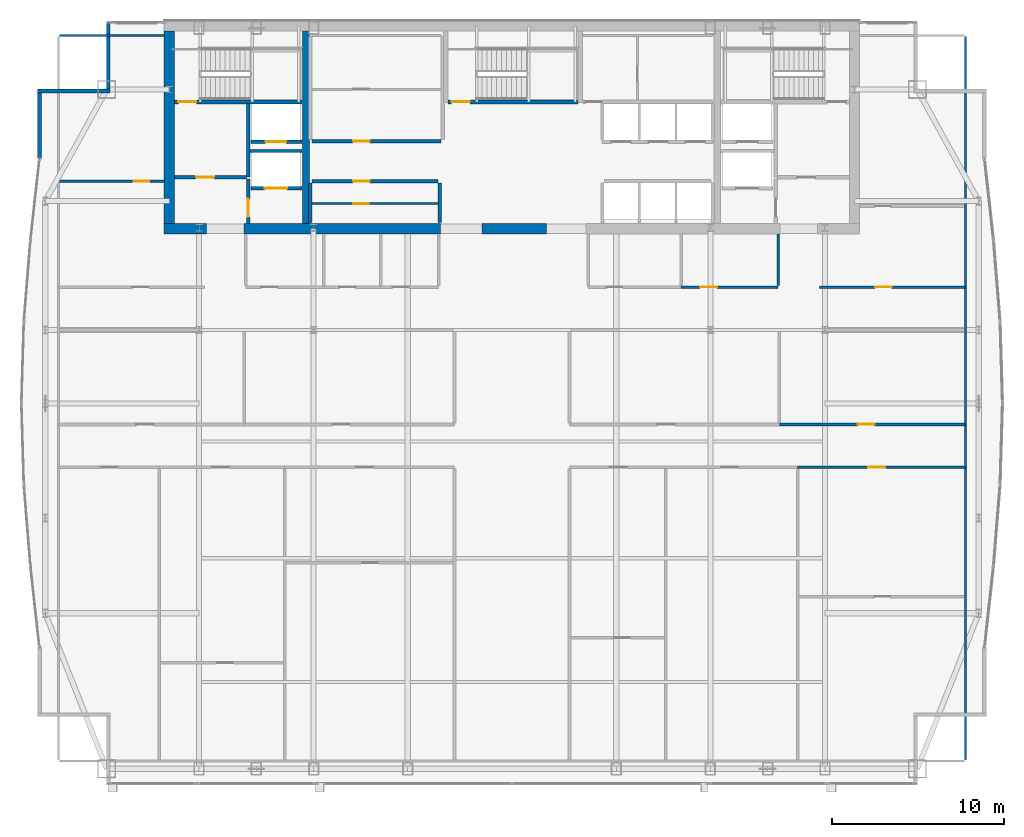
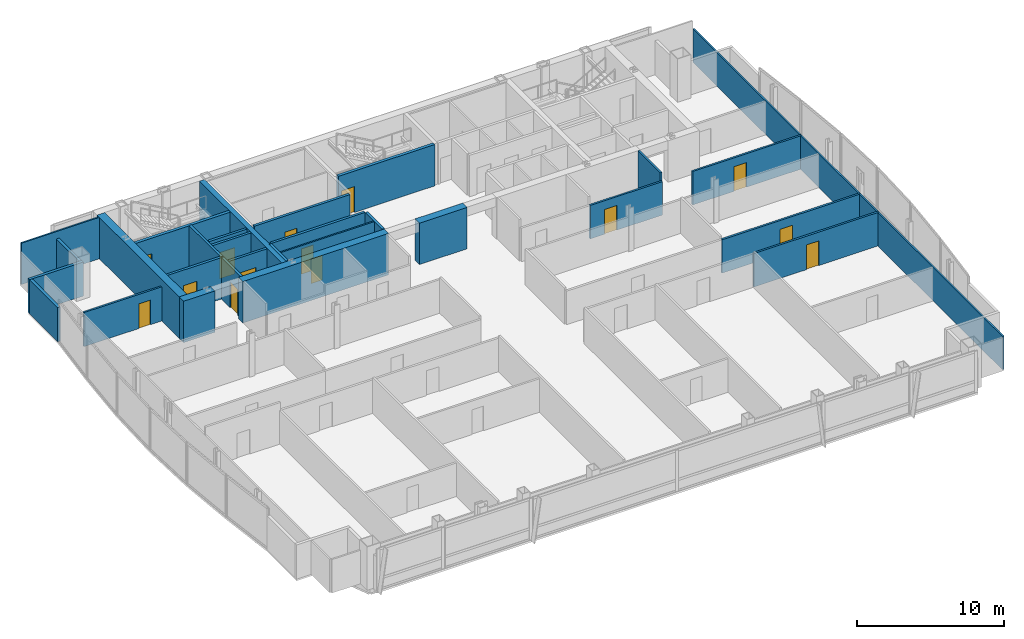
# One storey, part 25 of 29: 29 walls, 14 doors, 14 openings.
"""IFC4 building model written with IfcOpenShell, lengths in metres."""

import ifcopenshell
import ifcopenshell.guid

model = None  # the IFC model being written
_history = None  # IfcOwnerHistory: only IFC2X3 demands one
_inside = {}  # id of a spatial element -> (the spatial element, [elements in it])
_under = {}  # id of a project, library or spatial element -> (it, [spatial elements below it])
_declared = {}  # id of a project -> (the project, [libraries it declares])
_typed = {}  # id of a type object -> (the type object, [elements of that type])
_made_of = {}  # id of a material, layer set ... -> (it, [elements and type objects made of it])


def new_model(schema):
    """Start an empty IFC model of exactly this schema.

    Asked for "IFC4X3", IfcOpenShell would pick the latest addendum, in which some entities
    have other attributes; the version numbers below select the first issue.
    IFC2X3 requires an IfcOwnerHistory on every rooted entity: one is made here for all.
    """
    global model, _history
    if schema == "IFC4X3":
        model = ifcopenshell.file(schema_version=(4, 3, 0, 0))
    else:
        model = ifcopenshell.file(schema=schema)
    _inside.clear()
    _under.clear()
    _declared.clear()
    _typed.clear()
    _made_of.clear()
    _history = None
    if model.schema == "IFC2X3":
        org = make("IfcOrganization", Name="unknown")
        user = make(
            "IfcPersonAndOrganization",
            ThePerson=make("IfcPerson", FamilyName="unknown"),
            TheOrganization=org,
        )
        app = make(
            "IfcApplication",
            ApplicationDeveloper=org,
            Version="unknown",
            ApplicationFullName="unknown",
            ApplicationIdentifier="unknown",
        )
        _history = make(
            "IfcOwnerHistory",
            OwningUser=user,
            OwningApplication=app,
            ChangeAction="ADDED",
            CreationDate=0,
        )
    return model


def make(cls, **values):
    """One entity of the class cls with the attributes given. An attribute that is None is left unset."""
    return model.create_entity(
        cls, **{name: value for name, value in values.items() if value is not None}
    )


def rooted(cls, **values):
    """An entity with a GlobalId (a new one), such as an element, a storey or a relation."""
    return make(cls, GlobalId=ifcopenshell.guid.new(), OwnerHistory=_history, **values)


def si_unit(unit_type, name, prefix=None):
    """IfcSIUnit, for example si_unit("LENGTHUNIT", "METRE", prefix="MILLI")."""
    return make("IfcSIUnit", UnitType=unit_type, Prefix=prefix, Name=name)


def assignment(units):
    """IfcUnitAssignment: the units of a project."""
    return None if units is None else make("IfcUnitAssignment", Units=units)


def point(xyz):
    """IfcCartesianPoint."""
    return None if xyz is None else make("IfcCartesianPoint", Coordinates=xyz)


def direction(xyz):
    """IfcDirection."""
    return None if xyz is None else make("IfcDirection", DirectionRatios=xyz)


def frame(location, z_axis=None, x_axis=None):
    """IfcAxis2Placement3D, a coordinate frame: its origin and axes. An axis left out is left unset."""
    return make(
        "IfcAxis2Placement3D",
        Location=point(location),
        Axis=direction(z_axis),
        RefDirection=direction(x_axis),
    )


def frame_2d(location, x_axis=None):
    """IfcAxis2Placement2D, a coordinate frame in the plane: its origin and x axis."""
    return make(
        "IfcAxis2Placement2D", Location=point(location), RefDirection=direction(x_axis)
    )


def origin():
    """The frame at (0, 0, 0) with its axes left unset."""
    return frame((0.0, 0.0, 0.0))


def place(relative_to, where):
    """IfcLocalPlacement: puts the frame where relative to a parent placement (None: the world)."""
    return make(
        "IfcLocalPlacement", PlacementRelTo=relative_to, RelativePlacement=where
    )


def context(
    kind, dimensions, precision=None, world=None, true_north=None, identifier=None
):
    """IfcGeometricRepresentationContext, for example the 3D "Model" context."""
    return make(
        "IfcGeometricRepresentationContext",
        ContextIdentifier=identifier,
        ContextType=kind,
        CoordinateSpaceDimension=dimensions,
        Precision=precision,
        WorldCoordinateSystem=world,
        TrueNorth=true_north,
    )


def subcontext(parent, identifier, kind, view, scale=None):
    """IfcGeometricRepresentationSubContext, for example "Body" below "Model"."""
    return make(
        "IfcGeometricRepresentationSubContext",
        ContextIdentifier=identifier,
        ContextType=kind,
        ParentContext=parent,
        TargetScale=scale,
        TargetView=view,
    )


def project(units=None, contexts=None):
    """IfcProject with its units and contexts."""
    return rooted(
        "IfcProject",
        Name="project",
        RepresentationContexts=contexts,
        UnitsInContext=assignment(units),
    )


def spatial(cls, under=None, at=None, **own):
    """A site, building, storey or space (cls), placed at a placement, below another one or the project."""
    s = rooted(cls, ObjectPlacement=at, **own)
    if under is not None:
        _under.setdefault(under.id(), (under, []))[1].append(s)
    return s


def profile(cls, at=None, kind="AREA", **sizes):
    """A parametric profile (cls). Its sizes go by their IFC names, for example OverallWidth=200.0."""
    return make(cls, ProfileType=kind, Position=at, **sizes)


def rectangle(**sizes):
    """IfcRectangleProfileDef."""
    return profile("IfcRectangleProfileDef", **sizes)


def extrude(swept, where, along, depth):
    """IfcExtrudedAreaSolid: the profile swept, set in the frame where, extruded along a direction by depth."""
    return make(
        "IfcExtrudedAreaSolid",
        SweptArea=swept,
        Position=where,
        ExtrudedDirection=direction(along),
        Depth=depth,
    )


def shape(context_of_items, identifier, shape_type, items):
    """IfcShapeRepresentation: the items that make up one representation, for example the "Body"."""
    return make(
        "IfcShapeRepresentation",
        ContextOfItems=context_of_items,
        RepresentationIdentifier=identifier,
        RepresentationType=shape_type,
        Items=items,
    )


def material(Name=None, Category=None):
    """IfcMaterial."""
    return make("IfcMaterial", Name=Name, Category=Category)


def layer(
    of_material, thickness, ventilated=None, Name=None, Category=None, Priority=None
):
    """IfcMaterialLayer: one layer of a wall or slab, of a material (None: an air gap)."""
    return make(
        "IfcMaterialLayer",
        Material=of_material,
        LayerThickness=thickness,
        IsVentilated=ventilated,
        Name=Name,
        Category=Category,
        Priority=Priority,
    )


def layer_set(layers, Name=None):
    """IfcMaterialLayerSet."""
    return make("IfcMaterialLayerSet", MaterialLayers=layers, LayerSetName=Name)


def made_of(thing, what):
    """Note that an element or type object is made of a material, layer set ...; save() writes the relation."""
    if what is not None:
        _made_of.setdefault(what.id(), (what, []))[1].append(thing)
    return thing


def type_object(cls, material=None, **own):
    """A type object (cls), such as IfcWallType, which elements share."""
    return made_of(rooted(cls, **own), material)


def element(
    cls,
    number,
    at=None,
    inside=None,
    cuts=None,
    type_object=None,
    material=None,
    context=None,
    identifier="Body",
    shape_type=None,
    held_by="IfcProductDefinitionShape",
    body=None,
    shapes=None,
    **own,
):
    """One element of the class cls, such as IfcWall. Its Tag is "e" and its number.

    at: its placement. inside: the storey or other place that contains it. cuts: it is an
    opening in that element (IfcRelVoidsElement). A single representation is given by context,
    identifier, shape_type and body (its items); several are given by shapes. held_by: the class
    of the entity that holds the representations. save() writes the other relations.
    """
    e = rooted(cls, Tag="e%d" % number, ObjectPlacement=at, **own)
    if body is not None:
        shapes = [shape(context, identifier, shape_type, body)]
    if shapes is not None:
        e.Representation = make(held_by, Representations=shapes)
    if inside is not None:
        _inside.setdefault(inside.id(), (inside, []))[1].append(e)
    if cuts is not None:
        rooted(
            "IfcRelVoidsElement", RelatingBuildingElement=cuts, RelatedOpeningElement=e
        )
    if type_object is not None:
        _typed.setdefault(type_object.id(), (type_object, []))[1].append(e)
    return made_of(e, material)


def fill(opening, filler):
    """IfcRelFillsElement: the door or window that sits in an opening."""
    return rooted(
        "IfcRelFillsElement",
        RelatingOpeningElement=opening,
        RelatedBuildingElement=filler,
    )


def aggregate(whole, parts):
    """IfcRelAggregates: a whole, such as a stair, and the parts it consists of."""
    return rooted("IfcRelAggregates", RelatingObject=whole, RelatedObjects=parts)


def save(model, path):
    """Write the relations noted so far, then the file.

    IfcRelAggregates (storeys below a building ...), IfcRelContainedInSpatialStructure (elements
    in a storey), IfcRelDefinesByType, IfcRelAssociatesMaterial and IfcRelDeclares: one each for
    every whole, place, type object, material and project.
    """
    for whole, parts in _under.values():
        aggregate(whole, parts)
    for where, things in _inside.values():
        rooted(
            "IfcRelContainedInSpatialStructure",
            RelatedElements=things,
            RelatingStructure=where,
        )
    for kind, things in _typed.values():
        rooted("IfcRelDefinesByType", RelatedObjects=things, RelatingType=kind)
    for what, things in _made_of.values():
        rooted("IfcRelAssociatesMaterial", RelatedObjects=things, RelatingMaterial=what)
    for by, libraries in _declared.values():
        rooted("IfcRelDeclares", RelatingContext=by, RelatedDefinitions=libraries)
    model.write(path)


model = new_model("IFC4")

# Units and contexts
model_context = context("Model", 3, precision=1e-05, world=origin(), true_north=direction((0.0, 1.0)))
body_context = subcontext(model_context, "Body", "Model", "MODEL_VIEW")
ifc_project = project(units=[si_unit("LENGTHUNIT", "METRE"), si_unit("AREAUNIT", "SQUARE_METRE"), si_unit("VOLUMEUNIT", "CUBIC_METRE"), si_unit("PLANEANGLEUNIT", "RADIAN"), si_unit("MASSUNIT", "GRAM", prefix="KILO")], contexts=[model_context])

# Site, building, storey
site_placement = place(None, origin())
site = spatial("IfcSite", under=ifc_project, at=site_placement, CompositionType="ELEMENT")
building_placement = place(site_placement, origin())
building = spatial("IfcBuilding", under=site, at=building_placement, Name="Khoronbel Lancet Exchange", CompositionType="ELEMENT")
storey_placement = place(building_placement, frame((0.0, 0.0, 246.199951171875)))
storey = spatial("IfcBuildingStorey", under=building, at=storey_placement, Name="L63", CompositionType="ELEMENT", Elevation=246.199951171875)

# Walls
ifc_material_1 = material(Name="Concrete C60/75", Category="concrete")
ifc_layer_1 = layer(ifc_material_1, 0.60009765625, Name="Concrete C60/75")
ifc_layer_set_1 = layer_set([ifc_layer_1], Name="Concrete C60/75")
wall_type_1 = type_object("IfcWallType", Name="WL-CW3", PredefinedType="SHEAR", material=ifc_layer_set_1)
wall_1_placement = place(storey_placement, frame((16.5, 41.89990234375, 0.0), z_axis=(0.0, 0.0, 1.0), x_axis=(0.0, 1.0, 0.0)))
element("IfcWall", 1, at=wall_1_placement, inside=storey, type_object=wall_type_1, Name="Level L63 rear core west shear wall", PredefinedType="SHEAR", context=body_context, shape_type="SweptSolid", body=[
    extrude(rectangle(XDim=11.2001953125, YDim=0.60009765625, at=frame_2d((5.60009765625, 0.0))), origin(), (0.0, 0.0, 1.0), 3.43994140625),
])
wall_2_placement = place(storey_placement, frame((18.64990234375, 41.60009765625, 0.0), z_axis=(0.0, 0.0, 1.0), x_axis=(-1.0, 0.0, 0.0)))
element("IfcWall", 2, at=wall_2_placement, inside=storey, type_object=wall_type_1, Name="Level L63 rear core south shear wall pier P1", PredefinedType="SHEAR", context=body_context, shape_type="SweptSolid", body=[
    extrude(rectangle(XDim=2.449951171875, YDim=0.60009765625, at=frame_2d((1.22509765625, 0.0))), origin(), (0.0, 0.0, 1.0), 3.43994140625),
])
wall_3_placement = place(storey_placement, frame((32.300048828125, 41.60009765625, 0.0), z_axis=(0.0, 0.0, 1.0), x_axis=(-1.0, 0.0, 0.0)))
element("IfcWall", 3, at=wall_3_placement, inside=storey, type_object=wall_type_1, Name="Level L63 rear core south shear wall pier P2", PredefinedType="SHEAR", context=body_context, shape_type="SweptSolid", body=[
    extrude(rectangle(XDim=11.449951171875, YDim=0.60009765625, at=frame_2d((5.72509765625, 0.0))), origin(), (0.0, 0.0, 1.0), 3.43994140625),
])
wall_4_placement = place(storey_placement, frame((38.449951171875, 41.60009765625, 0.0), z_axis=(0.0, 0.0, 1.0), x_axis=(-1.0, 0.0, 0.0)))
element("IfcWall", 4, at=wall_4_placement, inside=storey, type_object=wall_type_1, Name="Level L63 rear core south shear wall pier P3", PredefinedType="SHEAR", context=body_context, shape_type="SweptSolid", body=[
    extrude(rectangle(XDim=3.75, YDim=0.60009765625, at=frame_2d((1.875, 0.0))), origin(), (0.0, 0.0, 1.0), 3.43994140625),
])
ifc_material_2 = material(Name="Precast concrete C40/50", Category="concrete")
ifc_layer_2 = layer(ifc_material_2, 0.25, Name="Precast concrete C40/50")
ifc_layer_set_2 = layer_set([ifc_layer_2], Name="Precast concrete C40/50")
wall_type_2 = type_object("IfcWallType", Name="WL-EXT250", PredefinedType="SOLIDWALL", material=ifc_layer_set_2)
wall_5_placement = place(storey_placement, frame((8.93994140625, 45.675048828125, 0.0), z_axis=(0.0, 0.0, 1.0), x_axis=(0.0, 1.0, 0.0)))
element("IfcWall", 5, at=wall_5_placement, inside=storey, type_object=wall_type_2, Name="Level L63 notched-corner limestone pier 10", PredefinedType="SOLIDWALL", context=body_context, shape_type="SweptSolid", body=[
    extrude(rectangle(XDim=3.824951171875, YDim=0.219970703125, at=frame_2d((1.91259765625, 0.0))), origin(), (0.0, 0.0, 1.0), 2.830078125),
])
wall_6_placement = place(storey_placement, frame((8.830078125, 49.610107421875, 0.0), z_axis=(0.0, 0.0, 1.0), x_axis=(1.0, 0.0, 0.0)))
element("IfcWall", 6, at=wall_6_placement, inside=storey, type_object=wall_type_2, Name="Level L63 notched-corner limestone pier 11", PredefinedType="SOLIDWALL", context=body_context, shape_type="SweptSolid", body=[
    extrude(rectangle(XDim=4.219970703125, YDim=0.219970703125, at=frame_2d((2.10986328125, 0.0))), origin(), (0.0, 0.0, 1.0), 2.830078125),
])
wall_7_placement = place(storey_placement, frame((12.93994140625, 49.719970703125, 0.0), z_axis=(0.0, 0.0, 1.0), x_axis=(0.0, 1.0, 0.0)))
element("IfcWall", 7, at=wall_7_placement, inside=storey, type_object=wall_type_2, Name="Level L63 notched-corner limestone pier 12", PredefinedType="SOLIDWALL", context=body_context, shape_type="SweptSolid", body=[
    extrude(rectangle(XDim=3.909912109375, YDim=0.219970703125, at=frame_2d((1.955078125, 0.0))), origin(), (0.0, 0.0, 1.0), 2.830078125),
])
ifc_material_3 = material(Name="Acoustic Metal-Stud & Mineral-Wool Gypsum Partition 120 mm", Category="gypsum")
ifc_layer_3 = layer(ifc_material_3, 0.1201171875, Name="Acoustic Metal-Stud & Mineral-Wool Gypsum Partition 120 mm")
ifc_layer_set_3 = layer_set([ifc_layer_3], Name="Acoustic Metal-Stud & Mineral-Wool Gypsum Partition 120 mm")
wall_type_3 = type_object("IfcWallType", Name="WL-PRT120", PredefinedType="PARTITIONING", material=ifc_layer_set_3)
wall_8_placement = place(storey_placement, frame((51.949951171875, 38.280029296875, 0.0), z_axis=(0.0, 0.0, 1.0), x_axis=(0.0, 1.0, 0.0)))
element("IfcWall", 8, at=wall_8_placement, inside=storey, type_object=wall_type_3, Name="Level L63 interior partition PW-NP-1", PredefinedType="PARTITIONING", context=body_context, shape_type="SweptSolid", body=[
    extrude(rectangle(XDim=3.02001953125, YDim=0.14990234375, at=frame_2d((1.510009765625, 0.0))), origin(), (0.0, 0.0, 1.0), 3.43994140625),
])

# Wall, opening, door
wall_9_placement = place(storey_placement, frame((10.094970703125, 44.35009765625, 0.0), z_axis=(0.0, 0.0, 1.0), x_axis=(1.0, 0.0, 0.0)))
wall_9 = element("IfcWall", 9, at=wall_9_placement, inside=storey, type_object=wall_type_3, Name="Level L63 interior partition PW-NW-H", PredefinedType="PARTITIONING", context=body_context, shape_type="SweptSolid", body=[
    extrude(rectangle(XDim=6.10498046875, YDim=0.14990234375, at=frame_2d((3.052490234375, 0.0))), origin(), (0.0, 0.0, 1.0), 2.830078125),
])
opening_1_placement = place(wall_9_placement, frame((4.320068359375, 0.0, 0.0)))
opening_1 = element("IfcOpeningElement", 10, at=opening_1_placement, cuts=wall_9, Name="Opening D5", PredefinedType="OPENING", context=body_context, shape_type="SweptSolid", body=[
    extrude(rectangle(XDim=0.89990234375, YDim=2.050048828125, at=frame_2d((0.449951171875, 1.02490234375))), frame((0.0, 0.0849609375, 0.0), z_axis=(0.0, -1.0, 0.0), x_axis=(1.0, 0.0, 0.0)), (0.0, 0.0, 1.0), 0.169921875),
])
ifc_material_4 = material(Name="Acoustic Timber Pantry & Support Door", Category="wood")
door_type_1 = type_object("IfcDoorType", Name="DR-D5", OperationType="NOTDEFINED", PredefinedType="DOOR", material=ifc_material_4)
door_1_placement = place(opening_1_placement, origin())
door_1 = element("IfcDoor", 11, at=door_1_placement, inside=storey, type_object=door_type_1, Name="NW north room door L63-1", OperationType="SINGLE_SWING_LEFT", OverallHeight=2.050048828125, OverallWidth=0.89990234375, PredefinedType="DOOR", context=body_context, shape_type="SweptSolid", body=[
    extrude(rectangle(XDim=0.89990234375, YDim=2.050048828125, at=frame_2d((0.449951171875, 1.02490234375))), frame((0.0, 0.02490234375, 0.0), z_axis=(0.0, -1.0, 0.0), x_axis=(1.0, 0.0, 0.0)), (0.0, 0.0, 1.0), 0.050048828125),
])
fill(opening_1, door_1)

# Walls
wall_10_placement = place(storey_placement, frame((62.8701171875, 10.6650390625, 0.0), z_axis=(0.0, 0.0, 1.0), x_axis=(0.0, 1.0, 0.0)))
element("IfcWall", 12, at=wall_10_placement, inside=storey, type_object=wall_type_3, Name="Level L63 interior partition PW-LIN-E", PredefinedType="PARTITIONING", context=body_context, shape_type="SweptSolid", body=[
    extrude(rectangle(XDim=42.10986328125, YDim=0.1201171875, at=frame_2d((21.054931640625, 0.0))), origin(), (0.0, 0.0, 1.0), 2.780029296875),
])
wall_11_placement = place(storey_placement, frame((10.094970703125, 52.840087890625, 0.0), z_axis=(0.0, 0.0, 1.0), x_axis=(1.0, 0.0, 0.0)))
element("IfcWall", 13, at=wall_11_placement, inside=storey, type_object=wall_type_3, Name="Level L63 interior partition PW-LIN-NW", PredefinedType="PARTITIONING", context=body_context, shape_type="SweptSolid", body=[
    extrude(rectangle(XDim=6.10498046875, YDim=0.1201171875, at=frame_2d((3.052490234375, 0.0))), origin(), (0.0, 0.0, 1.0), 3.43994140625),
])

# Wall, opening, door
ifc_material_5 = material(Name="Fire-Rated Metal-Stud & Mineral-Wool Gypsum Partition 120 mm", Category="gypsum")
ifc_layer_4 = layer(ifc_material_5, 0.1201171875, Name="Fire-Rated Metal-Stud & Mineral-Wool Gypsum Partition 120 mm")
ifc_layer_set_4 = layer_set([ifc_layer_4], Name="Fire-Rated Metal-Stud & Mineral-Wool Gypsum Partition 120 mm")
wall_type_4 = type_object("IfcWallType", Name="WL-PRT120F", PredefinedType="PARTITIONING", material=ifc_layer_set_4)
wall_12_placement = place(storey_placement, frame((24.804931640625, 43.053955078125, 0.0), z_axis=(0.0, 0.0, 1.0), x_axis=(1.0, 0.0, 0.0)))
wall_12 = element("IfcWall", 14, at=wall_12_placement, inside=storey, type_object=wall_type_4, Name="Level L63 interior partition CW-PM-RH", PredefinedType="PARTITIONING", context=body_context, shape_type="SweptSolid", body=[
    extrude(rectangle(XDim=7.340087890625, YDim=0.1201171875, at=frame_2d((3.669921875, 0.0))), origin(), (0.0, 0.0, 1.0), 3.43994140625),
])
opening_2_placement = place(wall_12_placement, frame((2.39990234375, 0.0, 0.0)))
opening_2 = element("IfcOpeningElement", 15, at=opening_2_placement, cuts=wall_12, Name="Opening FD4", PredefinedType="OPENING", context=body_context, shape_type="SweptSolid", body=[
    extrude(rectangle(XDim=0.89990234375, YDim=2.050048828125, at=frame_2d((0.449951171875, 1.02490234375))), frame((0.0, 0.070068359375, 0.0), z_axis=(0.0, -1.0, 0.0), x_axis=(1.0, 0.0, 0.0)), (0.0, 0.0, 1.0), 0.14013671875),
])
ifc_material_6 = material(Name="Fire-Rated Steel Core Support Door Assembly", Category="steel")
door_type_2 = type_object("IfcDoorType", Name="DR-FD4", OperationType="NOTDEFINED", PredefinedType="DOOR", material=ifc_material_6)
door_2_placement = place(opening_2_placement, origin())
door_2 = element("IfcDoor", 16, at=door_2_placement, inside=storey, type_object=door_type_2, Name="Core PM inner store door L63-1", OperationType="SINGLE_SWING_RIGHT", OverallHeight=2.050048828125, OverallWidth=0.89990234375, PredefinedType="DOOR", context=body_context, shape_type="SweptSolid", body=[
    extrude(rectangle(XDim=0.89990234375, YDim=2.050048828125, at=frame_2d((0.449951171875, 1.02490234375))), frame((0.0, 0.02490234375, 0.0), z_axis=(0.0, -1.0, 0.0), x_axis=(1.0, 0.0, 0.0)), (0.0, 0.0, 1.0), 0.050048828125),
])
fill(opening_2, door_2)

ifc_material_7 = material(Name="Fire-Rated Twin-Stud Acoustic Gypsum Partition 150 mm", Category="gypsum")
ifc_layer_5 = layer(ifc_material_7, 0.14990234375, Name="Fire-Rated Twin-Stud Acoustic Gypsum Partition 150 mm")
ifc_layer_set_5 = layer_set([ifc_layer_5], Name="Fire-Rated Twin-Stud Acoustic Gypsum Partition 150 mm")
wall_type_5 = type_object("IfcWallType", Name="WL-PRT150C", PredefinedType="PARTITIONING", material=ifc_layer_set_5)
wall_13_placement = place(storey_placement, frame((46.300048828125, 38.199951171875, 0.0), z_axis=(0.0, 0.0, 1.0), x_axis=(1.0, 0.0, 0.0)))
wall_13 = element("IfcWall", 17, at=wall_13_placement, inside=storey, type_object=wall_type_5, Name="Level L63 interior partition PW-NP-S2", PredefinedType="PARTITIONING", context=body_context, shape_type="SweptSolid", body=[
    extrude(rectangle(XDim=5.64990234375, YDim=0.14990234375, at=frame_2d((2.824951171875, 0.0))), origin(), (0.0, 0.0, 1.0), 2.780029296875),
])
opening_3_placement = place(wall_13_placement, frame((1.10009765625, 0.0, 0.0)))
opening_3 = element("IfcOpeningElement", 18, at=opening_3_placement, cuts=wall_13, Name="Opening D2", PredefinedType="OPENING", context=body_context, shape_type="SweptSolid", body=[
    extrude(rectangle(XDim=1.0, YDim=2.050048828125, at=frame_2d((0.5, 1.02490234375))), frame((0.0, 0.0849609375, 0.0), z_axis=(0.0, -1.0, 0.0), x_axis=(1.0, 0.0, 0.0)), (0.0, 0.0, 1.0), 0.169921875),
])
ifc_material_8 = material(Name="Acoustic Veneered Timber & Bronze Frame Door", Category="wood")
door_type_3 = type_object("IfcDoorType", Name="DR-D2", OperationType="NOTDEFINED", PredefinedType="DOOR", material=ifc_material_8)
door_3_placement = place(opening_3_placement, origin())
door_3 = element("IfcDoor", 19, at=door_3_placement, inside=storey, type_object=door_type_3, Name="Floor store door L63-1", OperationType="SINGLE_SWING_RIGHT", OverallHeight=2.050048828125, OverallWidth=1.0, PredefinedType="DOOR", context=body_context, shape_type="SweptSolid", body=[
    extrude(rectangle(XDim=1.0, YDim=2.050048828125, at=frame_2d((0.5, 1.02490234375))), frame((0.0, 0.02490234375, 0.0), z_axis=(0.0, -1.0, 0.0), x_axis=(1.0, 0.0, 0.0)), (0.0, 0.0, 1.0), 0.050048828125),
])
fill(opening_3, door_3)

wall_14_placement = place(storey_placement, frame((54.35009765625, 38.199951171875, 0.0), z_axis=(0.0, 0.0, 1.0), x_axis=(1.0, 0.0, 0.0)))
wall_14 = element("IfcWall", 20, at=wall_14_placement, inside=storey, type_object=wall_type_5, Name="Level L63 interior partition PW-NE-S", PredefinedType="PARTITIONING", context=body_context, shape_type="SweptSolid", body=[
    extrude(rectangle(XDim=8.52001953125, YDim=0.14990234375, at=frame_2d((4.260009765625, 0.0))), origin(), (0.0, 0.0, 1.0), 2.780029296875),
])
opening_4_placement = place(wall_14_placement, frame((3.25, 0.0, 0.0)))
opening_4 = element("IfcOpeningElement", 21, at=opening_4_placement, cuts=wall_14, Name="Opening D1", PredefinedType="OPENING", context=body_context, shape_type="SweptSolid", body=[
    extrude(rectangle(XDim=0.949951171875, YDim=2.050048828125, at=frame_2d((0.47509765625, 1.02490234375))), frame((0.0, 0.0849609375, 0.0), z_axis=(0.0, -1.0, 0.0), x_axis=(1.0, 0.0, 0.0)), (0.0, 0.0, 1.0), 0.169921875),
])
door_type_4 = type_object("IfcDoorType", Name="DR-D1", OperationType="NOTDEFINED", PredefinedType="DOOR", material=ifc_material_8)
door_4_placement = place(opening_4_placement, origin())
door_4 = element("IfcDoor", 22, at=door_4_placement, inside=storey, type_object=door_type_4, Name="NE corner room door L63-1", OperationType="SINGLE_SWING_RIGHT", OverallHeight=2.050048828125, OverallWidth=0.949951171875, PredefinedType="DOOR", context=body_context, shape_type="SweptSolid", body=[
    extrude(rectangle(XDim=0.949951171875, YDim=2.050048828125, at=frame_2d((0.47509765625, 1.02490234375))), frame((0.0, 0.02490234375, 0.0), z_axis=(0.0, -1.0, 0.0), x_axis=(1.0, 0.0, 0.0)), (0.0, 0.0, 1.0), 0.050048828125),
])
fill(opening_4, door_4)

ifc_material_9 = material(Name="Fire-Rated Twin-Stud Acoustic Gypsum Partition 160 mm", Category="gypsum")
ifc_layer_6 = layer(ifc_material_9, 0.159912109375, Name="Fire-Rated Twin-Stud Acoustic Gypsum Partition 160 mm")
ifc_layer_set_6 = layer_set([ifc_layer_6], Name="Fire-Rated Twin-Stud Acoustic Gypsum Partition 160 mm")
wall_type_6 = type_object("IfcWallType", Name="WL-PRT160C", PredefinedType="PARTITIONING", material=ifc_layer_set_6)
wall_15_placement = place(storey_placement, frame((53.082763671875, 27.699951171875, 0.0), z_axis=(0.0, 0.0, 1.0), x_axis=(1.0, 0.0, 0.0)))
wall_15 = element("IfcWall", 23, at=wall_15_placement, inside=storey, type_object=wall_type_6, Name="Level L63 interior partition PW-Z3SE-COR3", PredefinedType="PARTITIONING", context=body_context, shape_type="SweptSolid", body=[
    extrude(rectangle(XDim=9.787353515625, YDim=0.159912109375, at=frame_2d((4.8935546875, 0.0))), origin(), (0.0, 0.0, 1.0), 2.780029296875),
])
opening_5_placement = place(wall_15_placement, frame((4.110595703125, 0.0, 0.0)))
opening_5 = element("IfcOpeningElement", 24, at=opening_5_placement, cuts=wall_15, Name="Opening D2", PredefinedType="OPENING", context=body_context, shape_type="SweptSolid", body=[
    extrude(rectangle(XDim=1.0, YDim=2.050048828125, at=frame_2d((0.5, 1.02490234375))), frame((0.0, 0.08984375, 0.0), z_axis=(0.0, -1.0, 0.0), x_axis=(1.0, 0.0, 0.0)), (0.0, 0.0, 1.0), 0.179931640625),
])
door_5_placement = place(opening_5_placement, origin())
door_5 = element("IfcDoor", 25, at=door_5_placement, inside=storey, type_object=door_type_3, Name="Z3SE bay 3 door L63-1", OperationType="SINGLE_SWING_LEFT", OverallHeight=2.050048828125, OverallWidth=1.0, PredefinedType="DOOR", context=body_context, shape_type="SweptSolid", body=[
    extrude(rectangle(XDim=1.0, YDim=2.050048828125, at=frame_2d((0.5, 1.02490234375))), frame((0.0, 0.02490234375, 0.0), z_axis=(0.0, -1.0, 0.0), x_axis=(1.0, 0.0, 0.0)), (0.0, 0.0, 1.0), 0.050048828125),
])
fill(opening_5, door_5)

wall_16_placement = place(storey_placement, frame((52.013427734375, 30.199951171875, 0.0), z_axis=(0.0, 0.0, 1.0), x_axis=(1.0, 0.0, 0.0)))
wall_16 = element("IfcWall", 26, at=wall_16_placement, inside=storey, type_object=wall_type_6, Name="Level L63 interior partition PW-Z3NE-COR2", PredefinedType="PARTITIONING", context=body_context, shape_type="SweptSolid", body=[
    extrude(rectangle(XDim=10.856689453125, YDim=0.159912109375, at=frame_2d((5.42822265625, 0.0))), origin(), (0.0, 0.0, 1.0), 2.780029296875),
])
opening_6_placement = place(wall_16_placement, frame((4.559814453125, 0.0, 0.0)))
opening_6 = element("IfcOpeningElement", 27, at=opening_6_placement, cuts=wall_16, Name="Opening D2", PredefinedType="OPENING", context=body_context, shape_type="SweptSolid", body=[
    extrude(rectangle(XDim=1.0, YDim=2.050048828125, at=frame_2d((0.5, 1.02490234375))), frame((0.0, 0.08984375, 0.0), z_axis=(0.0, -1.0, 0.0), x_axis=(1.0, 0.0, 0.0)), (0.0, 0.0, 1.0), 0.179931640625),
])
door_6_placement = place(opening_6_placement, origin())
door_6 = element("IfcDoor", 28, at=door_6_placement, inside=storey, type_object=door_type_3, Name="Z3NE bay 2 door L63-1", OperationType="SINGLE_SWING_RIGHT", OverallHeight=2.050048828125, OverallWidth=1.0, PredefinedType="DOOR", context=body_context, shape_type="SweptSolid", body=[
    extrude(rectangle(XDim=1.0, YDim=2.050048828125, at=frame_2d((0.5, 1.02490234375))), frame((0.0, 0.02490234375, 0.0), z_axis=(0.0, -1.0, 0.0), x_axis=(1.0, 0.0, 0.0)), (0.0, 0.0, 1.0), 0.050048828125),
])
fill(opening_6, door_6)

ifc_material_10 = material(Name="Autoclaved Aerated Concrete Blockwork 200 mm", Category="masonry")
ifc_layer_7 = layer(ifc_material_10, 0.199951171875, Name="Autoclaved Aerated Concrete Blockwork 200 mm")
ifc_layer_set_7 = layer_set([ifc_layer_7], Name="Autoclaved Aerated Concrete Blockwork 200 mm")
wall_type_7 = type_object("IfcWallType", Name="WL-PRT200", PredefinedType="PARTITIONING", material=ifc_layer_set_7)
wall_17_placement = place(storey_placement, frame((24.2099609375, 43.949951171875, 0.0), z_axis=(0.0, 0.0, 1.0), x_axis=(-1.0, 0.0, 0.0)))
wall_17 = element("IfcWall", 29, at=wall_17_placement, inside=storey, type_object=wall_type_7, Name="Level L63 elevator hoistway landing front wall SVLW", PredefinedType="PARTITIONING", context=body_context, shape_type="SweptSolid", body=[
    extrude(rectangle(XDim=2.969970703125, YDim=0.199951171875, at=frame_2d((1.48486328125, 0.0))), origin(), (0.0, 0.0, 1.0), 3.43994140625),
])
opening_7_placement = place(wall_17_placement, frame((0.860107421875, 0.0, 0.0)))
opening_7 = element("IfcOpeningElement", 30, at=opening_7_placement, cuts=wall_17, Name="Opening LD-SVL1", PredefinedType="OPENING", context=body_context, shape_type="SweptSolid", body=[
    extrude(rectangle(XDim=1.300048828125, YDim=2.179931640625, at=frame_2d((0.64990234375, 1.08984375))), frame((0.0, 0.10986328125, 0.0), z_axis=(0.0, -1.0, 0.0), x_axis=(1.0, 0.0, 0.0)), (0.0, 0.0, 1.0), 0.219970703125),
])
ifc_material_11 = material(Name="Heavy-Duty Bi-Parting Goods Lift Landing Door", Category="steel")
door_type_5 = type_object("IfcDoorType", Name="DR-LD-SVL", OperationType="NOTDEFINED", PredefinedType="DOOR", material=ifc_material_11)
door_7_placement = place(opening_7_placement, origin())
door_7 = element("IfcDoor", 31, at=door_7_placement, inside=storey, type_object=door_type_5, Name="Elevator landing sliding door LD-SVL1 L63", OperationType="SLIDING_TO_LEFT", OverallHeight=2.179931640625, OverallWidth=1.300048828125, PredefinedType="DOOR", context=body_context, shape_type="SweptSolid", body=[
    extrude(rectangle(XDim=1.300048828125, YDim=2.179931640625, at=frame_2d((0.64990234375, 1.08984375))), frame((0.0, 0.02490234375, 0.0), z_axis=(0.0, -1.0, 0.0), x_axis=(1.0, 0.0, 0.0)), (0.0, 0.0, 1.0), 0.050048828125),
])
fill(opening_7, door_7)

wall_18_placement = place(storey_placement, frame((24.2099609375, 46.64990234375, 0.0), z_axis=(0.0, 0.0, 1.0), x_axis=(-1.0, 0.0, 0.0)))
wall_18 = element("IfcWall", 32, at=wall_18_placement, inside=storey, type_object=wall_type_7, Name="Level L63 elevator hoistway landing front wall FFLW", PredefinedType="PARTITIONING", context=body_context, shape_type="SweptSolid", body=[
    extrude(rectangle(XDim=2.969970703125, YDim=0.199951171875, at=frame_2d((1.48486328125, 0.0))), origin(), (0.0, 0.0, 1.0), 3.43994140625),
])
opening_8_placement = place(wall_18_placement, frame((0.909912109375, 0.0, 0.0)))
opening_8 = element("IfcOpeningElement", 33, at=opening_8_placement, cuts=wall_18, Name="Opening LD-FFL1", PredefinedType="OPENING", context=body_context, shape_type="SweptSolid", body=[
    extrude(rectangle(XDim=1.199951171875, YDim=2.179931640625, at=frame_2d((0.60009765625, 1.08984375))), frame((0.0, 0.10986328125, 0.0), z_axis=(0.0, -1.0, 0.0), x_axis=(1.0, 0.0, 0.0)), (0.0, 0.0, 1.0), 0.219970703125),
])
ifc_material_12 = material(Name="Fire-Rated Stainless Bi-Parting Firefighting Lift Door", Category="steel")
door_type_6 = type_object("IfcDoorType", Name="DR-LD-FFL", OperationType="NOTDEFINED", PredefinedType="DOOR", material=ifc_material_12)
door_8_placement = place(opening_8_placement, origin())
door_8 = element("IfcDoor", 34, at=door_8_placement, inside=storey, type_object=door_type_6, Name="Elevator landing sliding door LD-FFL1 L63", OperationType="SLIDING_TO_LEFT", OverallHeight=2.179931640625, OverallWidth=1.199951171875, PredefinedType="DOOR", context=body_context, shape_type="SweptSolid", body=[
    extrude(rectangle(XDim=1.199951171875, YDim=2.179931640625, at=frame_2d((0.60009765625, 1.08984375))), frame((0.0, 0.02490234375, 0.0), z_axis=(0.0, -1.0, 0.0), x_axis=(1.0, 0.0, 0.0)), (0.0, 0.0, 1.0), 0.050048828125),
])
fill(opening_8, door_8)

# Wall
wall_19_placement = place(storey_placement, frame((21.10009765625, 44.60009765625, 0.0), z_axis=(0.0, 0.0, 1.0), x_axis=(0.0, 1.0, 0.0)))
element("IfcWall", 35, at=wall_19_placement, inside=storey, type_object=wall_type_7, Name="Level L63 interior partition CW-FFLW-E", PredefinedType="PARTITIONING", context=body_context, shape_type="SweptSolid", body=[
    extrude(rectangle(XDim=4.2998046875, YDim=0.199951171875, at=frame_2d((2.14990234375, 0.0))), origin(), (0.0, 0.0, 1.0), 3.43994140625),
])

# Wall, opening, door
wall_20_placement = place(storey_placement, frame((16.800048828125, 44.60009765625, 0.0), z_axis=(0.0, 0.0, 1.0), x_axis=(1.0, 0.0, 0.0)))
wall_20 = element("IfcWall", 36, at=wall_20_placement, inside=storey, type_object=wall_type_7, Name="Level L63 interior partition CW-FFLW-S", PredefinedType="PARTITIONING", context=body_context, shape_type="SweptSolid", body=[
    extrude(rectangle(XDim=4.199951171875, YDim=0.199951171875, at=frame_2d((2.10009765625, 0.0))), origin(), (0.0, 0.0, 1.0), 3.43994140625),
])
opening_9_placement = place(wall_20_placement, frame((1.25, 0.0, 0.0)))
opening_9 = element("IfcOpeningElement", 37, at=opening_9_placement, cuts=wall_20, Name="Opening FD1", PredefinedType="OPENING", context=body_context, shape_type="SweptSolid", body=[
    extrude(rectangle(XDim=1.050048828125, YDim=2.14990234375, at=frame_2d((0.52490234375, 1.074951171875))), frame((0.0, 0.10986328125, 0.0), z_axis=(0.0, -1.0, 0.0), x_axis=(1.0, 0.0, 0.0)), (0.0, 0.0, 1.0), 0.219970703125),
])
ifc_material_13 = material(Name="Fire-Rated Painted Steel Door Assembly", Category="steel")
door_type_7 = type_object("IfcDoorType", Name="DR-FD1", OperationType="NOTDEFINED", PredefinedType="DOOR", material=ifc_material_13)
door_9_placement = place(opening_9_placement, origin())
door_9 = element("IfcDoor", 38, at=door_9_placement, inside=storey, type_object=door_type_7, Name="West firefighting lobby FD90S door L63-1", OperationType="SINGLE_SWING_RIGHT", OverallHeight=2.14990234375, OverallWidth=1.050048828125, PredefinedType="DOOR", context=body_context, shape_type="SweptSolid", body=[
    extrude(rectangle(XDim=1.050048828125, YDim=2.14990234375, at=frame_2d((0.52490234375, 1.074951171875))), frame((0.0, 0.02490234375, 0.0), z_axis=(0.0, -1.0, 0.0), x_axis=(1.0, 0.0, 0.0)), (0.0, 0.0, 1.0), 0.050048828125),
])
fill(opening_9, door_9)

# Wall
wall_21_placement = place(storey_placement, frame((21.199951171875, 46.1201171875, 0.0), z_axis=(0.0, 0.0, 1.0), x_axis=(1.0, 0.0, 0.0)))
element("IfcWall", 39, at=wall_21_placement, inside=storey, type_object=wall_type_7, Name="Level L63 interior partition CW-FFL1-S", PredefinedType="PARTITIONING", context=body_context, shape_type="SweptSolid", body=[
    extrude(rectangle(XDim=3.02001953125, YDim=0.199951171875, at=frame_2d((1.510009765625, 0.0))), origin(), (0.0, 0.0, 1.0), 3.43994140625),
])

# Wall, opening, door
wall_22_placement = place(storey_placement, frame((21.10009765625, 41.89990234375, 0.0), z_axis=(0.0, 0.0, 1.0), x_axis=(0.0, 1.0, 0.0)))
wall_22 = element("IfcWall", 40, at=wall_22_placement, inside=storey, type_object=wall_type_7, Name="Level L63 interior partition CW-SVLW-W", PredefinedType="PARTITIONING", context=body_context, shape_type="SweptSolid", body=[
    extrude(rectangle(XDim=2.59521484375, YDim=0.199951171875, at=frame_2d((1.297607421875, 0.0))), origin(), (0.0, 0.0, 1.0), 3.43994140625),
])
opening_10_placement = place(wall_22_placement, frame((0.3798828125, 0.0, 0.0)))
opening_10 = element("IfcOpeningElement", 41, at=opening_10_placement, cuts=wall_22, Name="Opening FD1", PredefinedType="OPENING", context=body_context, shape_type="SweptSolid", body=[
    extrude(rectangle(XDim=1.050048828125, YDim=2.14990234375, at=frame_2d((0.52490234375, 1.074951171875))), frame((0.0, 0.10986328125, 0.0), z_axis=(0.0, -1.0, 0.0), x_axis=(1.0, 0.0, 0.0)), (0.0, 0.0, 1.0), 0.219970703125),
])
door_10_placement = place(opening_10_placement, origin())
door_10 = element("IfcDoor", 42, at=door_10_placement, inside=storey, type_object=door_type_7, Name="West service lift lobby door L63-1", OperationType="SINGLE_SWING_LEFT", OverallHeight=2.14990234375, OverallWidth=1.050048828125, PredefinedType="DOOR", context=body_context, shape_type="SweptSolid", body=[
    extrude(rectangle(XDim=1.050048828125, YDim=2.14990234375, at=frame_2d((0.52490234375, 1.074951171875))), frame((0.0, 0.02490234375, 0.0), z_axis=(0.0, -1.0, 0.0), x_axis=(1.0, 0.0, 0.0)), (0.0, 0.0, 1.0), 0.050048828125),
])
fill(opening_10, door_10)

wall_23_placement = place(storey_placement, frame((24.804931640625, 46.699951171875, 0.0), z_axis=(0.0, 0.0, 1.0), x_axis=(1.0, 0.0, 0.0)))
wall_23 = element("IfcWall", 43, at=wall_23_placement, inside=storey, type_object=wall_type_7, Name="Level L63 interior partition CW-PL-RF", PredefinedType="PARTITIONING", context=body_context, shape_type="SweptSolid", body=[
    extrude(rectangle(XDim=7.510009765625, YDim=0.199951171875, at=frame_2d((3.7548828125, 0.0))), origin(), (0.0, 0.0, 1.0), 3.43994140625),
])
opening_11_placement = place(wall_23_placement, frame((2.39990234375, 0.0, 0.0)))
opening_11 = element("IfcOpeningElement", 44, at=opening_11_placement, cuts=wall_23, Name="Opening FD3", PredefinedType="OPENING", context=body_context, shape_type="SweptSolid", body=[
    extrude(rectangle(XDim=0.949951171875, YDim=2.10009765625, at=frame_2d((0.47509765625, 1.050048828125))), frame((0.0, 0.10986328125, 0.0), z_axis=(0.0, -1.0, 0.0), x_axis=(1.0, 0.0, 0.0)), (0.0, 0.0, 1.0), 0.219970703125),
])
ifc_material_14 = material(Name="Fire-Rated Steel Plant & Riser Door Assembly", Category="steel")
door_type_8 = type_object("IfcDoorType", Name="DR-FD3", OperationType="NOTDEFINED", PredefinedType="DOOR", material=ifc_material_14)
door_11_placement = place(opening_11_placement, origin())
door_11 = element("IfcDoor", 45, at=door_11_placement, inside=storey, type_object=door_type_8, Name="Core PL merged gallery room door L63-1", OperationType="SINGLE_SWING_LEFT", OverallHeight=2.10009765625, OverallWidth=0.949951171875, PredefinedType="DOOR", context=body_context, shape_type="SweptSolid", body=[
    extrude(rectangle(XDim=0.949951171875, YDim=2.10009765625, at=frame_2d((0.47509765625, 1.050048828125))), frame((0.0, 0.02490234375, 0.0), z_axis=(0.0, -1.0, 0.0), x_axis=(1.0, 0.0, 0.0)), (0.0, 0.0, 1.0), 0.050048828125),
])
fill(opening_11, door_11)

# Walls
for number, where, z_axis, x_axis, name in (
    (46, (24.699951171875, 41.949951171875, 0.0), (0.0, 0.0, 1.0), (0.0, 1.0, 0.0), "Level L63 interior partition CW-PM-RW"),
    (47, (32.25, 41.949951171875, 0.0), (0.0, 0.0, 1.0), (0.0, 1.0, 0.0), "Level L63 interior partition CW-PM-RE"),
):
    element("IfcWall", number, at=place(storey_placement, frame(where, z_axis=z_axis, x_axis=x_axis)), inside=storey, type_object=wall_type_7, Name=name, PredefinedType="PARTITIONING", context=body_context, shape_type="SweptSolid", body=[
        extrude(rectangle(XDim=2.295166015625, YDim=0.199951171875, at=frame_2d((1.1474609375, 0.0))), origin(), (0.0, 0.0, 1.0), 3.43994140625),
    ])

# Wall, opening, door
wall_24_placement = place(storey_placement, frame((24.804931640625, 44.35009765625, 0.0), z_axis=(0.0, 0.0, 1.0), x_axis=(1.0, 0.0, 0.0)))
wall_24 = element("IfcWall", 48, at=wall_24_placement, inside=storey, type_object=wall_type_7, Name="Level L63 interior partition CW-PM-RF", PredefinedType="PARTITIONING", context=body_context, shape_type="SweptSolid", body=[
    extrude(rectangle(XDim=7.340087890625, YDim=0.199951171875, at=frame_2d((3.669921875, 0.0))), origin(), (0.0, 0.0, 1.0), 3.43994140625),
])
opening_12_placement = place(wall_24_placement, frame((2.39990234375, 0.0, 0.0)))
opening_12 = element("IfcOpeningElement", 49, at=opening_12_placement, cuts=wall_24, Name="Opening FD3", PredefinedType="OPENING", context=body_context, shape_type="SweptSolid", body=[
    extrude(rectangle(XDim=0.949951171875, YDim=2.10009765625, at=frame_2d((0.47509765625, 1.050048828125))), frame((0.0, 0.10986328125, 0.0), z_axis=(0.0, -1.0, 0.0), x_axis=(1.0, 0.0, 0.0)), (0.0, 0.0, 1.0), 0.219970703125),
])
door_12_placement = place(opening_12_placement, origin())
door_12 = element("IfcDoor", 50, at=door_12_placement, inside=storey, type_object=door_type_8, Name="Core PM merged gallery room door L63-1", OperationType="SINGLE_SWING_LEFT", OverallHeight=2.10009765625, OverallWidth=0.949951171875, PredefinedType="DOOR", context=body_context, shape_type="SweptSolid", body=[
    extrude(rectangle(XDim=0.949951171875, YDim=2.10009765625, at=frame_2d((0.47509765625, 1.050048828125))), frame((0.0, 0.02490234375, 0.0), z_axis=(0.0, -1.0, 0.0), x_axis=(1.0, 0.0, 0.0)), (0.0, 0.0, 1.0), 0.050048828125),
])
fill(opening_12, door_12)

# Wall
ifc_layer_8 = layer(ifc_material_1, 0.39990234375, Name="Concrete C60/75")
ifc_layer_set_8 = layer_set([ifc_layer_8], Name="Concrete C60/75")
wall_type_8 = type_object("IfcWallType", Name="WL-SW2", PredefinedType="SHEAR", material=ifc_layer_set_8)
wall_25_placement = place(storey_placement, frame((24.449951171875, 41.89990234375, 0.0), z_axis=(0.0, 0.0, 1.0), x_axis=(0.0, 1.0, 0.0)))
element("IfcWall", 51, at=wall_25_placement, inside=storey, type_object=wall_type_8, Name="Level L63 rear core internal spine shear wall IW", PredefinedType="SHEAR", context=body_context, shape_type="SweptSolid", body=[
    extrude(rectangle(XDim=11.2001953125, YDim=0.39990234375, at=frame_2d((5.60009765625, 0.0))), origin(), (0.0, 0.0, 1.0), 3.43994140625),
])

# Wall, opening, door
ifc_layer_9 = layer(ifc_material_1, 0.260009765625, Name="Concrete C60/75")
ifc_layer_set_9 = layer_set([ifc_layer_9], Name="Concrete C60/75")
wall_type_9 = type_object("IfcWallType", Name="WL-SW3", PredefinedType="SHEAR", material=ifc_layer_set_9)
wall_26_placement = place(storey_placement, frame((16.800048828125, 48.97998046875, 0.0), z_axis=(0.0, 0.0, 1.0), x_axis=(1.0, 0.0, 0.0)))
wall_26 = element("IfcWall", 52, at=wall_26_placement, inside=storey, type_object=wall_type_9, Name="Level L63 west stairwell structural south wall", PredefinedType="SHEAR", context=body_context, shape_type="SweptSolid", body=[
    extrude(rectangle(XDim=7.419921875, YDim=0.239990234375, at=frame_2d((3.7099609375, 0.0))), origin(), (0.0, 0.0, 1.0), 3.43994140625),
])
opening_13_placement = place(wall_26_placement, frame((0.219970703125, 0.0, 0.0)))
opening_13 = element("IfcOpeningElement", 53, at=opening_13_placement, cuts=wall_26, Name="Opening SD1", PredefinedType="OPENING", context=body_context, shape_type="SweptSolid", body=[
    extrude(rectangle(XDim=1.050048828125, YDim=2.14990234375, at=frame_2d((0.52490234375, 1.074951171875))), frame((0.0, 0.1298828125, 0.0), z_axis=(0.0, -1.0, 0.0), x_axis=(1.0, 0.0, 0.0)), (0.0, 0.0, 1.0), 0.260009765625),
])
ifc_material_15 = material(Name="Fire-Rated Steel Stairwell Door Assembly", Category="steel")
door_type_9 = type_object("IfcDoorType", Name="DR-SD1", OperationType="NOTDEFINED", PredefinedType="DOOR", material=ifc_material_15)
door_13_placement = place(opening_13_placement, origin())
door_13 = element("IfcDoor", 54, at=door_13_placement, inside=storey, type_object=door_type_9, Name="Protected exit stair ST1 door L63", OperationType="SINGLE_SWING_LEFT", OverallHeight=2.14990234375, OverallWidth=1.050048828125, PredefinedType="DOOR", context=body_context, shape_type="SweptSolid", body=[
    extrude(rectangle(XDim=1.050048828125, YDim=2.14990234375, at=frame_2d((0.52490234375, 1.074951171875))), frame((0.0, 0.02490234375, 0.0), z_axis=(0.0, -1.0, 0.0), x_axis=(1.0, 0.0, 0.0)), (0.0, 0.0, 1.0), 0.050048828125),
])
fill(opening_13, door_13)

wall_27_placement = place(storey_placement, frame((32.719970703125, 48.97998046875, 0.0), z_axis=(0.0, 0.0, 1.0), x_axis=(1.0, 0.0, 0.0)))
wall_27 = element("IfcWall", 55, at=wall_27_placement, inside=storey, type_object=wall_type_9, Name="Level L63 central stairwell structural south wall", PredefinedType="SHEAR", context=body_context, shape_type="SweptSolid", body=[
    extrude(rectangle(XDim=7.56005859375, YDim=0.239990234375, at=frame_2d((3.780029296875, 0.0))), origin(), (0.0, 0.0, 1.0), 3.43994140625),
])
opening_14_placement = place(wall_27_placement, frame((0.219970703125, 0.0, 0.0)))
opening_14 = element("IfcOpeningElement", 56, at=opening_14_placement, cuts=wall_27, Name="Opening SD1", PredefinedType="OPENING", context=body_context, shape_type="SweptSolid", body=[
    extrude(rectangle(XDim=1.050048828125, YDim=2.14990234375, at=frame_2d((0.52490234375, 1.074951171875))), frame((0.0, 0.1298828125, 0.0), z_axis=(0.0, -1.0, 0.0), x_axis=(1.0, 0.0, 0.0)), (0.0, 0.0, 1.0), 0.260009765625),
])
door_14_placement = place(opening_14_placement, origin())
door_14 = element("IfcDoor", 57, at=door_14_placement, inside=storey, type_object=door_type_9, Name="Protected exit stair ST3 door L63", OperationType="SINGLE_SWING_LEFT", OverallHeight=2.14990234375, OverallWidth=1.050048828125, PredefinedType="DOOR", context=body_context, shape_type="SweptSolid", body=[
    extrude(rectangle(XDim=1.050048828125, YDim=2.14990234375, at=frame_2d((0.52490234375, 1.074951171875))), frame((0.0, 0.02490234375, 0.0), z_axis=(0.0, -1.0, 0.0), x_axis=(1.0, 0.0, 0.0)), (0.0, 0.0, 1.0), 0.050048828125),
])
fill(opening_14, door_14)

save(model, "model.ifc")
